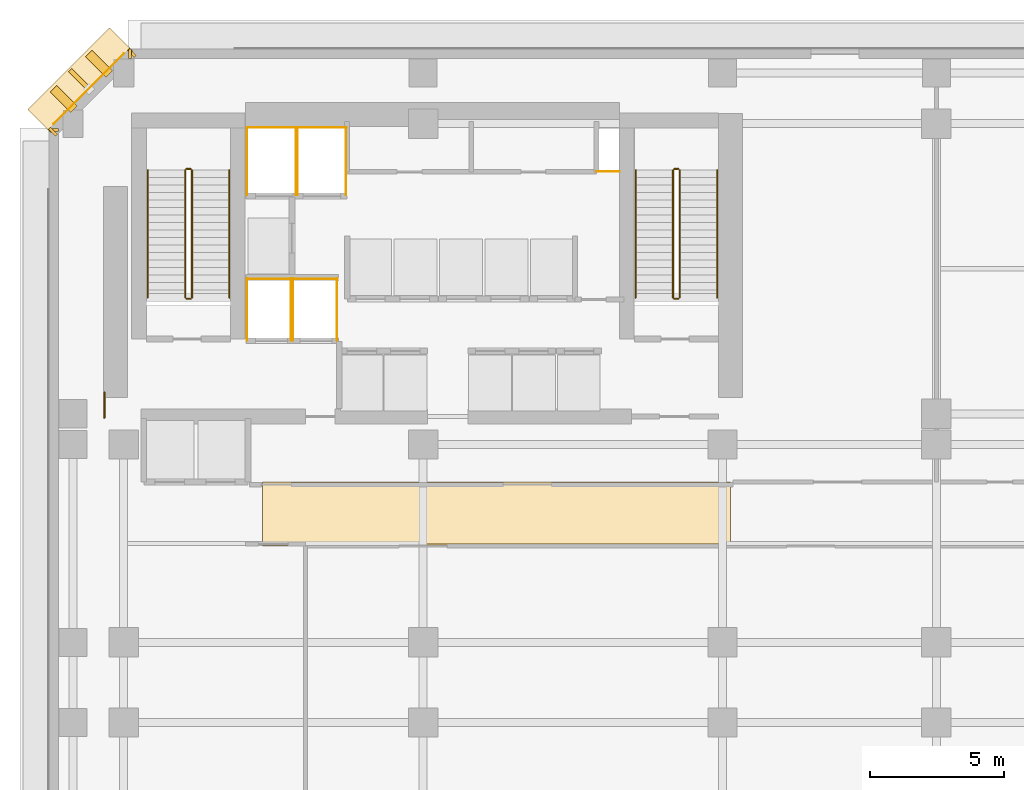
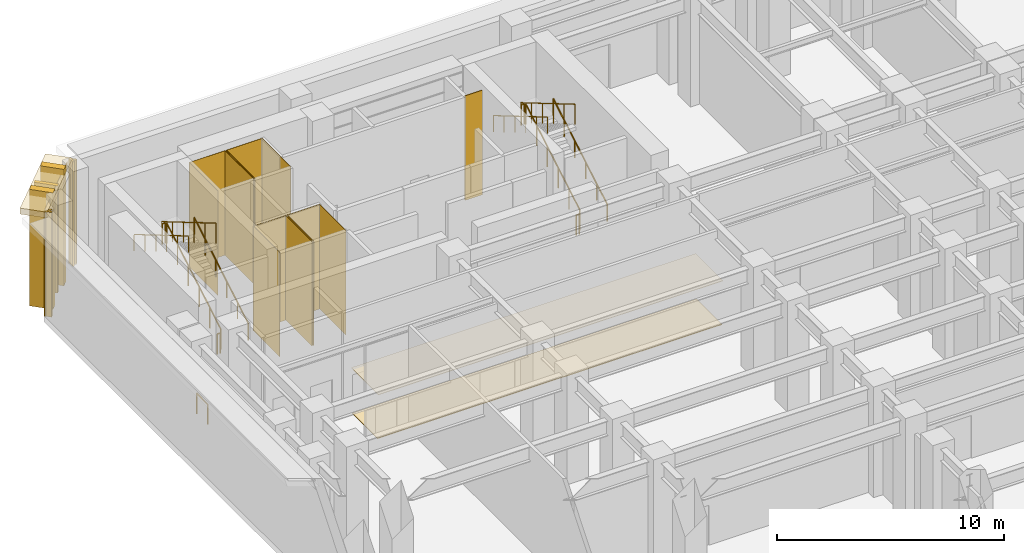
# One storey, part 15 of 18: 23 coverings, 13 railings, 1 shading device.
"""IFC4 building model written with IfcOpenShell, lengths in metres."""

from ifc_helpers import new_model, si_unit, direction, frame, origin, origin_2d, place, context, subcontext, project, spatial, polyline, rectangle, circle, outline, extrude, material, layer, layer_set, material_profile, profile_set, type_object, element, save


model = new_model("IFC4")

# Units and contexts
model_context = context("Model", 3, precision=1e-05, world=origin(), true_north=direction((0.0, 1.0)))
body_context = subcontext(model_context, "Body", "Model", "MODEL_VIEW")
ifc_project = project(units=[si_unit("LENGTHUNIT", "METRE"), si_unit("AREAUNIT", "SQUARE_METRE"), si_unit("VOLUMEUNIT", "CUBIC_METRE"), si_unit("PLANEANGLEUNIT", "RADIAN"), si_unit("MASSUNIT", "GRAM", prefix="KILO")], contexts=[model_context])

# Site, building, storey
site_placement = place(None, origin())
site = spatial("IfcSite", under=ifc_project, at=site_placement, CompositionType="ELEMENT")
building_placement = place(site_placement, origin())
building = spatial("IfcBuilding", under=site, at=building_placement, Name="Kefirva Bronze Tower", CompositionType="ELEMENT")
storey_placement = place(building_placement, origin())
storey = spatial("IfcBuildingStorey", under=building, at=storey_placement, Name="L00", CompositionType="ELEMENT", Elevation=0.0)

# Coverings
ifc_material_1 = material(Name="Acoustic mineral tile")
ifc_layer_1 = layer(ifc_material_1, 0.02490234375, Name="Acoustic mineral tile")
ifc_layer_set_1 = layer_set([ifc_layer_1], Name="Acoustic mineral tile")
covering_type_1 = type_object("IfcCoveringType", Name="Acoustic Mineral Suspended Ceiling 25mm", PredefinedType="CEILING", material=ifc_layer_set_1)
covering_1_placement = place(storey_placement, frame((0.0, 0.0, 2.39990234375)))
element("IfcCovering", 1, at=covering_1_placement, inside=storey, type_object=covering_type_1, Name="L00 Corridor Acoustic Ceiling", PredefinedType="CEILING", context=body_context, shape_type="SweptSolid", body=[
    extrude(outline(polyline([(6.0, 29.39990234375), (23.5, 29.39990234375), (23.5, 31.800048828125), (6.0, 31.800048828125), (6.0, 29.39990234375)])), origin(), (0.0, 0.0, 1.0), 0.025146484375),
])
ifc_material_2 = material(Name="Bronze anodised aluminium", Category="aluminium")
ifc_layer_2 = layer(ifc_material_2, 0.02001953125, Name="Bronze anodised aluminium")
ifc_layer_set_2 = layer_set([ifc_layer_2], Name="Bronze anodised aluminium")
covering_type_2 = type_object("IfcCoveringType", Name="Anodised Bronze Spandrel Cladding 20mm", PredefinedType="CLADDING", material=ifc_layer_set_2)
covering_2_placement = place(storey_placement, frame((1.034912109375, 47.820068359375, 0.0), z_axis=(0.0, 0.0, 1.0), x_axis=(-1.0, 0.0, 0.0)))
element("IfcCovering", 2, at=covering_2_placement, inside=storey, type_object=covering_type_2, Name="L00 Facade Joint Closure Panel 9E", PredefinedType="CLADDING", context=body_context, shape_type="SweptSolid", body=[
    extrude(rectangle(XDim=0.10009765625, YDim=0.360107421875, at=origin_2d()), origin(), (0.0, 0.0, 1.0), 5.6201171875),
])
covering_3_placement = place(storey_placement, frame((-0.507080078125, 46.507080078125, 5.199951171875), z_axis=(0.0, 0.0, 1.0), x_axis=(-0.707106781187, -0.707106781187, 0.0)))
element("IfcCovering", 3, at=covering_3_placement, inside=storey, type_object=covering_type_2, Name="L00 Bronze Spandrel Cladding 10", PredefinedType="CLADDING", context=body_context, shape_type="SweptSolid", body=[
    extrude(rectangle(XDim=3.719482421875, YDim=0.02001953125, at=origin_2d()), origin(), (0.0, 0.0, 1.0), 0.39990234375),
])
for number, where, z_axis, x_axis, name in (
    (4, (1.1025390625, 47.847900390625, 0.0), (0.0, 0.0, 1.0), (-0.707106781187, -0.707106781187, 0.0), "L00 Facade Joint Closure Panel 10S"),
    (5, (-1.847900390625, 44.8974609375, 0.0), (0.0, 0.0, 1.0), (-0.707106781187, -0.707106781187, 0.0), "L00 Facade Joint Closure Panel 10E"),
    (6, (-1.820068359375, 44.965087890625, 0.0), (0.0, 0.0, 1.0), (0.0, -1.0, 0.0), "L00 Facade Joint Closure Panel 11S"),
):
    element("IfcCovering", number, at=place(storey_placement, frame(where, z_axis=z_axis, x_axis=x_axis)), inside=storey, type_object=covering_type_2, Name=name, PredefinedType="CLADDING", context=body_context, shape_type="SweptSolid", body=[
        extrude(rectangle(XDim=0.10009765625, YDim=0.360107421875, at=origin_2d()), origin(), (0.0, 0.0, 1.0), 5.6201171875),
    ])
covering_4_placement = place(storey_placement, origin())
element("IfcCovering", 7, at=covering_4_placement, inside=storey, type_object=covering_type_2, Name="L00 Lift FF1 Hoistway Liner N", PredefinedType="CLADDING", context=body_context, shape_type="SweptSolid", body=[
    extrude(outline(polyline([(5.39990234375, 39.389892578125), (7.080078125, 39.389892578125), (7.080078125, 39.409912109375), (5.39990234375, 39.409912109375), (5.39990234375, 39.389892578125)])), origin(), (0.0, 0.0, 1.0), 5.6201171875),
])
covering_5_placement = place(storey_placement, origin())
element("IfcCovering", 8, at=covering_5_placement, inside=storey, type_object=covering_type_2, Name="L00 Lift FF1 Hoistway Liner W", PredefinedType="CLADDING", context=body_context, shape_type="SweptSolid", body=[
    extrude(outline(polyline([(5.409912109375, 37.080078125), (5.429931640625, 37.080078125), (5.429931640625, 39.419921875), (5.409912109375, 39.419921875), (5.409912109375, 37.080078125)])), origin(), (0.0, 0.0, 1.0), 5.6201171875),
])
covering_6_placement = place(storey_placement, origin())
element("IfcCovering", 9, at=covering_6_placement, inside=storey, type_object=covering_type_2, Name="L00 Lift FF1 Hoistway Liner E", PredefinedType="CLADDING", context=body_context, shape_type="SweptSolid", body=[
    extrude(outline(polyline([(7.050048828125, 37.080078125), (7.070068359375, 37.080078125), (7.070068359375, 39.419921875), (7.050048828125, 39.419921875), (7.050048828125, 37.080078125)])), origin(), (0.0, 0.0, 1.0), 5.6201171875),
])
covering_7_placement = place(storey_placement, origin())
element("IfcCovering", 10, at=covering_7_placement, inside=storey, type_object=covering_type_2, Name="L00 Lift FF2 Hoistway Liner N", PredefinedType="CLADDING", context=body_context, shape_type="SweptSolid", body=[
    extrude(outline(polyline([(7.1201171875, 39.389892578125), (8.800048828125, 39.389892578125), (8.800048828125, 39.409912109375), (7.1201171875, 39.409912109375), (7.1201171875, 39.389892578125)])), origin(), (0.0, 0.0, 1.0), 5.6201171875),
])
covering_8_placement = place(storey_placement, origin())
element("IfcCovering", 11, at=covering_8_placement, inside=storey, type_object=covering_type_2, Name="L00 Lift FF2 Hoistway Liner W", PredefinedType="CLADDING", context=body_context, shape_type="SweptSolid", body=[
    extrude(outline(polyline([(7.1298828125, 37.080078125), (7.14990234375, 37.080078125), (7.14990234375, 39.419921875), (7.1298828125, 39.419921875), (7.1298828125, 37.080078125)])), origin(), (0.0, 0.0, 1.0), 5.6201171875),
])
covering_9_placement = place(storey_placement, origin())
element("IfcCovering", 12, at=covering_9_placement, inside=storey, type_object=covering_type_2, Name="L00 Lift FF2 Hoistway Liner E", PredefinedType="CLADDING", context=body_context, shape_type="SweptSolid", body=[
    extrude(outline(polyline([(8.77001953125, 37.080078125), (8.7900390625, 37.080078125), (8.7900390625, 39.419921875), (8.77001953125, 39.419921875), (8.77001953125, 37.080078125)])), origin(), (0.0, 0.0, 1.0), 5.6201171875),
])
covering_10_placement = place(storey_placement, origin())
element("IfcCovering", 13, at=covering_10_placement, inside=storey, type_object=covering_type_2, Name="L00 Lift SV1 Hoistway Liner N", PredefinedType="CLADDING", context=body_context, shape_type="SweptSolid", body=[
    extrude(outline(polyline([(5.39990234375, 45.0400390625), (7.260009765625, 45.0400390625), (7.260009765625, 45.06005859375), (5.39990234375, 45.06005859375), (5.39990234375, 45.0400390625)])), origin(), (0.0, 0.0, 1.0), 5.6201171875),
])
covering_11_placement = place(storey_placement, origin())
element("IfcCovering", 14, at=covering_11_placement, inside=storey, type_object=covering_type_2, Name="L00 Lift SV1 Hoistway Liner W", PredefinedType="CLADDING", context=body_context, shape_type="SweptSolid", body=[
    extrude(outline(polyline([(5.409912109375, 42.530029296875), (5.429931640625, 42.530029296875), (5.429931640625, 45.070068359375), (5.409912109375, 45.070068359375), (5.409912109375, 42.530029296875)])), origin(), (0.0, 0.0, 1.0), 5.6201171875),
])
covering_12_placement = place(storey_placement, origin())
element("IfcCovering", 15, at=covering_12_placement, inside=storey, type_object=covering_type_2, Name="L00 Lift SV1 Hoistway Liner E", PredefinedType="CLADDING", context=body_context, shape_type="SweptSolid", body=[
    extrude(outline(polyline([(7.22998046875, 42.530029296875), (7.25, 42.530029296875), (7.25, 45.070068359375), (7.22998046875, 45.070068359375), (7.22998046875, 42.530029296875)])), origin(), (0.0, 0.0, 1.0), 5.6201171875),
])
covering_13_placement = place(storey_placement, origin())
element("IfcCovering", 16, at=covering_13_placement, inside=storey, type_object=covering_type_2, Name="L00 Lift SV2 Hoistway Liner N", PredefinedType="CLADDING", context=body_context, shape_type="SweptSolid", body=[
    extrude(outline(polyline([(7.280029296875, 45.0400390625), (9.139892578125, 45.0400390625), (9.139892578125, 45.06005859375), (7.280029296875, 45.06005859375), (7.280029296875, 45.0400390625)])), origin(), (0.0, 0.0, 1.0), 5.6201171875),
])
covering_14_placement = place(storey_placement, origin())
element("IfcCovering", 17, at=covering_14_placement, inside=storey, type_object=covering_type_2, Name="L00 Lift SV2 Hoistway Liner W", PredefinedType="CLADDING", context=body_context, shape_type="SweptSolid", body=[
    extrude(outline(polyline([(7.2900390625, 42.530029296875), (7.31005859375, 42.530029296875), (7.31005859375, 45.070068359375), (7.2900390625, 45.070068359375), (7.2900390625, 42.530029296875)])), origin(), (0.0, 0.0, 1.0), 5.6201171875),
])
covering_15_placement = place(storey_placement, origin())
element("IfcCovering", 18, at=covering_15_placement, inside=storey, type_object=covering_type_2, Name="L00 Lift SV2 Hoistway Liner E", PredefinedType="CLADDING", context=body_context, shape_type="SweptSolid", body=[
    extrude(outline(polyline([(9.110107421875, 42.530029296875), (9.1298828125, 42.530029296875), (9.1298828125, 45.070068359375), (9.110107421875, 45.070068359375), (9.110107421875, 42.530029296875)])), origin(), (0.0, 0.0, 1.0), 5.6201171875),
])
covering_16_placement = place(storey_placement, origin())
element("IfcCovering", 19, at=covering_16_placement, inside=storey, type_object=covering_type_2, Name="L00 Core MEP Riser Shaft Liner South", PredefinedType="CLADDING", context=body_context, shape_type="SweptSolid", body=[
    extrude(outline(polyline([(18.47998046875, 43.39990234375), (19.360107421875, 43.39990234375), (19.360107421875, 43.429931640625), (18.47998046875, 43.429931640625), (18.47998046875, 43.39990234375)])), origin(), (0.0, 0.0, 1.0), 5.6201171875),
])

# Shading device
ifc_material_profile = material_profile(ifc_material_2, rectangle(XDim=0.179931640625, YDim=1.080078125, at=origin_2d()), Name="BRONZE BUTTRESS FIN 180x1080")
ifc_profile_set = profile_set([ifc_material_profile], Name="Bronze anodised aluminium")
shading_device_type = type_object("IfcShadingDeviceType", Name="Chamfered Corner Buttress Bronze Fin 1080mm", PredefinedType="USERDEFINED", material=ifc_profile_set)
shading_device_placement = place(storey_placement, frame((-0.8251953125, 46.8251953125, -0.139892578125), z_axis=(0.0, 0.0, 1.0), x_axis=(-0.707106781187, -0.707106781187, 0.0)))
element("IfcShadingDevice", 20, at=shading_device_placement, inside=storey, type_object=shading_device_type, Name="L00 Chamfered Corner Buttress Fin 10", ObjectType="VERTICAL FIN", PredefinedType="USERDEFINED", context=body_context, shape_type="SweptSolid", body=[
    extrude(rectangle(XDim=0.179931640625, YDim=1.080078125, at=origin_2d()), origin(), (0.0, 0.0, 1.0), 5.760009765625),
])

# Covering
ifc_material_3 = material(Name="Honed basalt stone paver", Category="masonry")
ifc_layer_3 = layer(ifc_material_3, 0.034912109375, Name="Honed basalt stone paver")
ifc_layer_set_3 = layer_set([ifc_layer_3], Name="Honed basalt stone paver")
covering_type_3 = type_object("IfcCoveringType", Name="Honed Basalt Concourse Flooring 35mm", PredefinedType="FLOORING", material=ifc_layer_set_3)
covering_17_placement = place(storey_placement, origin())
element("IfcCovering", 21, at=covering_17_placement, inside=storey, type_object=covering_type_3, Name="L00 Architectural Finish Flooring", PredefinedType="FLOORING", context=body_context, shape_type="SweptSolid", body=[
    extrude(outline(polyline([(6.0, 29.47998046875), (23.5, 29.47998046875), (23.5, 31.719970703125), (6.0, 31.719970703125), (6.0, 29.47998046875)])), origin(), (0.0, 0.0, 1.0), 0.034912109375),
])

# Railings
ifc_material_4 = material(Name="Stainless steel 316", Category="steel")
railing_type_1 = type_object("IfcRailingType", Name="Interior Stair Guardrail 1100mm", PredefinedType="GUARDRAIL", material=ifc_material_4)
railing_1_placement = place(storey_placement, frame((3.35009765625, 38.699951171875, 0.1650390625)))
element("IfcRailing", 22, at=railing_1_placement, inside=storey, type_object=railing_type_1, Name="L00 ST-1 stair guard 1", PredefinedType="GUARDRAIL", context=body_context, shape_type="SweptSolid", body=[
    extrude(circle(Radius=0.02392578125, at=origin_2d()), frame((0.0, 0.0, 1.076171875), z_axis=(0.0, 0.861544328885, 0.507682350852), x_axis=(-1.0, 0.0, 0.0)), (0.0, 0.0, 1.0), 5.52490234375),
    extrude(circle(Radius=0.02099609375, at=origin_2d()), origin(), (0.0, 0.0, 1.0), 1.052001953125),
    extrude(circle(Radius=0.02099609375, at=origin_2d()), frame((0.0, 0.951904296875, 0.56103515625)), (0.0, 0.0, 1.0), 1.052001953125),
    extrude(circle(Radius=0.02099609375, at=origin_2d()), frame((0.0, 1.904052734375, 1.1220703125)), (0.0, 0.0, 1.0), 1.052001953125),
    extrude(circle(Radius=0.02099609375, at=origin_2d()), frame((0.0, 2.85595703125, 1.682861328125)), (0.0, 0.0, 1.0), 1.052001953125),
    extrude(circle(Radius=0.02099609375, at=origin_2d()), frame((0.0, 3.80810546875, 2.243896484375)), (0.0, 0.0, 1.0), 1.052001953125),
    extrude(circle(Radius=0.02099609375, at=origin_2d()), frame((0.0, 4.760009765625, 2.804931640625)), (0.0, 0.0, 1.0), 1.052001953125),
])
railing_2_placement = place(storey_placement, frame((3.300048828125, 43.510009765625, 2.969970703125)))
element("IfcRailing", 23, at=railing_2_placement, inside=storey, type_object=railing_type_1, Name="L00 ST-1 stair guard 2", PredefinedType="GUARDRAIL", context=body_context, shape_type="SweptSolid", body=[
    extrude(circle(Radius=0.02392578125, at=origin_2d()), frame((0.0, 0.0, 1.076171875), z_axis=(-1.0, 0.0, 0.0), x_axis=(0.0, -1.0, 0.0)), (0.0, 0.0, 1.0), 0.150146484375),
    extrude(circle(Radius=0.02099609375, at=origin_2d()), origin(), (0.0, 0.0, 1.0), 1.052001953125),
    extrude(circle(Radius=0.02099609375, at=origin_2d()), frame((-0.150146484375, 0.0, 0.0)), (0.0, 0.0, 1.0), 1.052001953125),
])
railing_3_placement = place(storey_placement, frame((3.10009765625, 43.4599609375, 3.135009765625)))
element("IfcRailing", 24, at=railing_3_placement, inside=storey, type_object=railing_type_1, Name="L00 ST-1 stair guard 3", PredefinedType="GUARDRAIL", context=body_context, shape_type="SweptSolid", body=[
    extrude(circle(Radius=0.02392578125, at=origin_2d()), frame((0.0, 0.0, 1.076171875), z_axis=(0.0, -0.861544328885, 0.507682350852), x_axis=(1.0, 0.0, 0.0)), (0.0, 0.0, 1.0), 5.52490234375),
    extrude(circle(Radius=0.02099609375, at=origin_2d()), origin(), (0.0, 0.0, 1.0), 1.052001953125),
    extrude(circle(Radius=0.02099609375, at=origin_2d()), frame((0.0, -0.951904296875, 0.56103515625)), (0.0, 0.0, 1.0), 1.052001953125),
    extrude(circle(Radius=0.02099609375, at=origin_2d()), frame((0.0, -1.904052734375, 1.1220703125)), (0.0, 0.0, 1.0), 1.052001953125),
    extrude(circle(Radius=0.02099609375, at=origin_2d()), frame((0.0, -2.85595703125, 1.682861328125)), (0.0, 0.0, 1.0), 1.052001953125),
    extrude(circle(Radius=0.02099609375, at=origin_2d()), frame((0.0, -3.80810546875, 2.243896484375)), (0.0, 0.0, 1.0), 1.052001953125),
    extrude(circle(Radius=0.02099609375, at=origin_2d()), frame((0.0, -4.760009765625, 2.804931640625)), (0.0, 0.0, 1.0), 1.052001953125),
])
railing_4_placement = place(storey_placement, frame((3.300048828125, 38.64990234375, 0.0)))
element("IfcRailing", 25, at=railing_4_placement, inside=storey, type_object=railing_type_1, Name="L00 ST-1 stair guard 4", PredefinedType="GUARDRAIL", context=body_context, shape_type="SweptSolid", body=[
    extrude(circle(Radius=0.02392578125, at=origin_2d()), frame((0.0, 0.0, 1.076171875), z_axis=(-1.0, 0.0, 0.0), x_axis=(0.0, -1.0, 0.0)), (0.0, 0.0, 1.0), 0.150146484375),
    extrude(circle(Radius=0.02099609375, at=origin_2d()), origin(), (0.0, 0.0, 1.0), 1.052001953125),
    extrude(circle(Radius=0.02099609375, at=origin_2d()), frame((-0.150146484375, 0.0, 0.0)), (0.0, 0.0, 1.0), 1.052001953125),
])
railing_5_placement = place(storey_placement, frame((21.60009765625, 38.699951171875, 0.1650390625)))
element("IfcRailing", 26, at=railing_5_placement, inside=storey, type_object=railing_type_1, Name="L00 ST-2 stair guard 1", PredefinedType="GUARDRAIL", context=body_context, shape_type="SweptSolid", body=[
    extrude(circle(Radius=0.02392578125, at=origin_2d()), frame((0.0, 0.0, 1.076171875), z_axis=(0.0, 0.861544328885, 0.507682350852), x_axis=(-1.0, 0.0, 0.0)), (0.0, 0.0, 1.0), 5.52490234375),
    extrude(circle(Radius=0.02099609375, at=origin_2d()), origin(), (0.0, 0.0, 1.0), 1.052001953125),
    extrude(circle(Radius=0.02099609375, at=origin_2d()), frame((0.0, 0.951904296875, 0.56103515625)), (0.0, 0.0, 1.0), 1.052001953125),
    extrude(circle(Radius=0.02099609375, at=origin_2d()), frame((0.0, 1.904052734375, 1.1220703125)), (0.0, 0.0, 1.0), 1.052001953125),
    extrude(circle(Radius=0.02099609375, at=origin_2d()), frame((0.0, 2.85595703125, 1.682861328125)), (0.0, 0.0, 1.0), 1.052001953125),
    extrude(circle(Radius=0.02099609375, at=origin_2d()), frame((0.0, 3.80810546875, 2.243896484375)), (0.0, 0.0, 1.0), 1.052001953125),
    extrude(circle(Radius=0.02099609375, at=origin_2d()), frame((0.0, 4.760009765625, 2.804931640625)), (0.0, 0.0, 1.0), 1.052001953125),
])
railing_6_placement = place(storey_placement, frame((21.550048828125, 43.510009765625, 2.969970703125)))
element("IfcRailing", 27, at=railing_6_placement, inside=storey, type_object=railing_type_1, Name="L00 ST-2 stair guard 2", PredefinedType="GUARDRAIL", context=body_context, shape_type="SweptSolid", body=[
    extrude(circle(Radius=0.02392578125, at=origin_2d()), frame((0.0, 0.0, 1.076171875), z_axis=(-1.0, 0.0, 0.0), x_axis=(0.0, -1.0, 0.0)), (0.0, 0.0, 1.0), 0.150146484375),
    extrude(circle(Radius=0.02099609375, at=origin_2d()), origin(), (0.0, 0.0, 1.0), 1.052001953125),
    extrude(circle(Radius=0.02099609375, at=origin_2d()), frame((-0.150146484375, 0.0, 0.0)), (0.0, 0.0, 1.0), 1.052001953125),
])
railing_7_placement = place(storey_placement, frame((21.35009765625, 43.4599609375, 3.135009765625)))
element("IfcRailing", 28, at=railing_7_placement, inside=storey, type_object=railing_type_1, Name="L00 ST-2 stair guard 3", PredefinedType="GUARDRAIL", context=body_context, shape_type="SweptSolid", body=[
    extrude(circle(Radius=0.02392578125, at=origin_2d()), frame((0.0, 0.0, 1.076171875), z_axis=(0.0, -0.861544328885, 0.507682350852), x_axis=(1.0, 0.0, 0.0)), (0.0, 0.0, 1.0), 5.52490234375),
    extrude(circle(Radius=0.02099609375, at=origin_2d()), origin(), (0.0, 0.0, 1.0), 1.052001953125),
    extrude(circle(Radius=0.02099609375, at=origin_2d()), frame((0.0, -0.951904296875, 0.56103515625)), (0.0, 0.0, 1.0), 1.052001953125),
    extrude(circle(Radius=0.02099609375, at=origin_2d()), frame((0.0, -1.904052734375, 1.1220703125)), (0.0, 0.0, 1.0), 1.052001953125),
    extrude(circle(Radius=0.02099609375, at=origin_2d()), frame((0.0, -2.85595703125, 1.682861328125)), (0.0, 0.0, 1.0), 1.052001953125),
    extrude(circle(Radius=0.02099609375, at=origin_2d()), frame((0.0, -3.80810546875, 2.243896484375)), (0.0, 0.0, 1.0), 1.052001953125),
    extrude(circle(Radius=0.02099609375, at=origin_2d()), frame((0.0, -4.760009765625, 2.804931640625)), (0.0, 0.0, 1.0), 1.052001953125),
])
railing_8_placement = place(storey_placement, frame((21.550048828125, 38.64990234375, 0.0)))
element("IfcRailing", 29, at=railing_8_placement, inside=storey, type_object=railing_type_1, Name="L00 ST-2 stair guard 4", PredefinedType="GUARDRAIL", context=body_context, shape_type="SweptSolid", body=[
    extrude(circle(Radius=0.02392578125, at=origin_2d()), frame((0.0, 0.0, 1.076171875), z_axis=(-1.0, 0.0, 0.0), x_axis=(0.0, -1.0, 0.0)), (0.0, 0.0, 1.0), 0.150146484375),
    extrude(circle(Radius=0.02099609375, at=origin_2d()), origin(), (0.0, 0.0, 1.0), 1.052001953125),
    extrude(circle(Radius=0.02099609375, at=origin_2d()), frame((-0.150146484375, 0.0, 0.0)), (0.0, 0.0, 1.0), 1.052001953125),
])
railing_9_placement = place(storey_placement, frame((0.080078125, 34.199951171875, 0.0)))
element("IfcRailing", 30, at=railing_9_placement, inside=storey, type_object=railing_type_1, Name="L00 West Core Junction Guardrail", PredefinedType="GUARDRAIL", context=body_context, shape_type="SweptSolid", body=[
    extrude(circle(Radius=0.02392578125, at=origin_2d()), frame((0.0, 0.0, 1.076171875), z_axis=(0.0, 1.0, 0.0), x_axis=(-1.0, 0.0, 0.0)), (0.0, 0.0, 1.0), 0.949951171875),
    extrude(circle(Radius=0.02099609375, at=origin_2d()), origin(), (0.0, 0.0, 1.0), 1.052001953125),
    extrude(circle(Radius=0.02099609375, at=origin_2d()), frame((0.0, 0.949951171875, 0.0)), (0.0, 0.0, 1.0), 1.052001953125),
])
railing_type_2 = type_object("IfcRailingType", Name="Stair Pitch Handrail 900mm", PredefinedType="HANDRAIL", material=ifc_material_4)
railing_10_placement = place(storey_placement, frame((4.75, 38.699951171875, 0.1650390625)))
element("IfcRailing", 31, at=railing_10_placement, inside=storey, type_object=railing_type_2, Name="L00 ST-1 stair handrail 1", PredefinedType="HANDRAIL", context=body_context, shape_type="SweptSolid", body=[
    extrude(circle(Radius=0.02392578125, at=origin_2d()), frame((0.0, 0.0, 0.8759765625), z_axis=(0.0, 0.861544328885, 0.507682350852), x_axis=(-1.0, 0.0, 0.0)), (0.0, 0.0, 1.0), 5.52490234375),
    extrude(circle(Radius=0.02099609375, at=origin_2d()), origin(), (0.0, 0.0, 1.0), 0.851806640625),
    extrude(circle(Radius=0.02099609375, at=origin_2d()), frame((0.0, 0.951904296875, 0.56103515625)), (0.0, 0.0, 1.0), 0.851806640625),
    extrude(circle(Radius=0.02099609375, at=origin_2d()), frame((0.0, 1.904052734375, 1.1220703125)), (0.0, 0.0, 1.0), 0.851806640625),
    extrude(circle(Radius=0.02099609375, at=origin_2d()), frame((0.0, 2.85595703125, 1.682861328125)), (0.0, 0.0, 1.0), 0.851806640625),
    extrude(circle(Radius=0.02099609375, at=origin_2d()), frame((0.0, 3.80810546875, 2.243896484375)), (0.0, 0.0, 1.0), 0.851806640625),
    extrude(circle(Radius=0.02099609375, at=origin_2d()), frame((0.0, 4.760009765625, 2.804931640625)), (0.0, 0.0, 1.0), 0.851806640625),
])
railing_11_placement = place(storey_placement, frame((1.699951171875, 43.4599609375, 3.135009765625)))
element("IfcRailing", 32, at=railing_11_placement, inside=storey, type_object=railing_type_2, Name="L00 ST-1 stair handrail 2", PredefinedType="HANDRAIL", context=body_context, shape_type="SweptSolid", body=[
    extrude(circle(Radius=0.02392578125, at=origin_2d()), frame((0.0, 0.0, 0.8759765625), z_axis=(0.0, -0.861544328885, 0.507682350852), x_axis=(1.0, 0.0, 0.0)), (0.0, 0.0, 1.0), 5.52490234375),
    extrude(circle(Radius=0.02099609375, at=origin_2d()), origin(), (0.0, 0.0, 1.0), 0.851806640625),
    extrude(circle(Radius=0.02099609375, at=origin_2d()), frame((0.0, -0.951904296875, 0.56103515625)), (0.0, 0.0, 1.0), 0.851806640625),
    extrude(circle(Radius=0.02099609375, at=origin_2d()), frame((0.0, -1.904052734375, 1.1220703125)), (0.0, 0.0, 1.0), 0.851806640625),
    extrude(circle(Radius=0.02099609375, at=origin_2d()), frame((0.0, -2.85595703125, 1.682861328125)), (0.0, 0.0, 1.0), 0.851806640625),
    extrude(circle(Radius=0.02099609375, at=origin_2d()), frame((0.0, -3.80810546875, 2.243896484375)), (0.0, 0.0, 1.0), 0.851806640625),
    extrude(circle(Radius=0.02099609375, at=origin_2d()), frame((0.0, -4.760009765625, 2.804931640625)), (0.0, 0.0, 1.0), 0.851806640625),
])
railing_12_placement = place(storey_placement, frame((23.0, 38.699951171875, 0.1650390625)))
element("IfcRailing", 33, at=railing_12_placement, inside=storey, type_object=railing_type_2, Name="L00 ST-2 stair handrail 1", PredefinedType="HANDRAIL", context=body_context, shape_type="SweptSolid", body=[
    extrude(circle(Radius=0.02392578125, at=origin_2d()), frame((0.0, 0.0, 0.8759765625), z_axis=(0.0, 0.861544328885, 0.507682350852), x_axis=(-1.0, 0.0, 0.0)), (0.0, 0.0, 1.0), 5.52490234375),
    extrude(circle(Radius=0.02099609375, at=origin_2d()), origin(), (0.0, 0.0, 1.0), 0.851806640625),
    extrude(circle(Radius=0.02099609375, at=origin_2d()), frame((0.0, 0.951904296875, 0.56103515625)), (0.0, 0.0, 1.0), 0.851806640625),
    extrude(circle(Radius=0.02099609375, at=origin_2d()), frame((0.0, 1.904052734375, 1.1220703125)), (0.0, 0.0, 1.0), 0.851806640625),
    extrude(circle(Radius=0.02099609375, at=origin_2d()), frame((0.0, 2.85595703125, 1.682861328125)), (0.0, 0.0, 1.0), 0.851806640625),
    extrude(circle(Radius=0.02099609375, at=origin_2d()), frame((0.0, 3.80810546875, 2.243896484375)), (0.0, 0.0, 1.0), 0.851806640625),
    extrude(circle(Radius=0.02099609375, at=origin_2d()), frame((0.0, 4.760009765625, 2.804931640625)), (0.0, 0.0, 1.0), 0.851806640625),
])
railing_13_placement = place(storey_placement, frame((19.949951171875, 43.4599609375, 3.135009765625)))
element("IfcRailing", 34, at=railing_13_placement, inside=storey, type_object=railing_type_2, Name="L00 ST-2 stair handrail 2", PredefinedType="HANDRAIL", context=body_context, shape_type="SweptSolid", body=[
    extrude(circle(Radius=0.02392578125, at=origin_2d()), frame((0.0, 0.0, 0.8759765625), z_axis=(0.0, -0.861544328885, 0.507682350852), x_axis=(1.0, 0.0, 0.0)), (0.0, 0.0, 1.0), 5.52490234375),
    extrude(circle(Radius=0.02099609375, at=origin_2d()), origin(), (0.0, 0.0, 1.0), 0.851806640625),
    extrude(circle(Radius=0.02099609375, at=origin_2d()), frame((0.0, -0.951904296875, 0.56103515625)), (0.0, 0.0, 1.0), 0.851806640625),
    extrude(circle(Radius=0.02099609375, at=origin_2d()), frame((0.0, -1.904052734375, 1.1220703125)), (0.0, 0.0, 1.0), 0.851806640625),
    extrude(circle(Radius=0.02099609375, at=origin_2d()), frame((0.0, -2.85595703125, 1.682861328125)), (0.0, 0.0, 1.0), 0.851806640625),
    extrude(circle(Radius=0.02099609375, at=origin_2d()), frame((0.0, -3.80810546875, 2.243896484375)), (0.0, 0.0, 1.0), 0.851806640625),
    extrude(circle(Radius=0.02099609375, at=origin_2d()), frame((0.0, -4.760009765625, 2.804931640625)), (0.0, 0.0, 1.0), 0.851806640625),
])

# Coverings
ifc_layer_4 = layer(ifc_material_2, 0.179931640625, Name="Bronze anodised aluminium")
ifc_layer_set_4 = layer_set([ifc_layer_4], Name="Bronze anodised aluminium")
covering_type_4 = type_object("IfcCoveringType", Name="Streamline Bronze Sunshade Eyebrow Cladding 180mm", PredefinedType="CLADDING", material=ifc_layer_set_4)
covering_18_placement = place(storey_placement, frame((-0.8251953125, 46.8251953125, 5.2998046875), z_axis=(0.0, 0.0, 1.0), x_axis=(-0.707106781187, -0.707106781187, 0.0)))
element("IfcCovering", 35, at=covering_18_placement, inside=storey, type_object=covering_type_4, Name="L00 Streamline Bronze Sunshade Eyebrow 9", PredefinedType="CLADDING", context=body_context, shape_type="SweptSolid", body=[
    extrude(rectangle(XDim=4.322509765625, YDim=1.239990234375, at=origin_2d()), origin(), (0.0, 0.0, 1.0), 0.320068359375),
])
ifc_layer_5 = layer(ifc_material_2, 0.260009765625, Name="Bronze anodised aluminium")
ifc_layer_set_5 = layer_set([ifc_layer_5], Name="Bronze anodised aluminium")
covering_type_5 = type_object("IfcCoveringType", Name="Unbroken Bronze Buttress Fin Cladding 260mm", PredefinedType="CLADDING", material=ifc_layer_set_5)
for number, where, z_axis, x_axis, name in (
    (36, (-0.122802734375, 47.44287109375, -0.31982421875), (0.0, 0.0, 1.0), (-0.707106781187, -0.707106781187, 0.0), "L00 Chamfered Corner Buttress Fin Cladding 9"),
    (37, (-1.44287109375, 46.122802734375, -0.31982421875), (0.0, 0.0, 1.0), (-0.707106781187, -0.707106781187, 0.0), "L00 Chamfered Corner Buttress Fin Cladding 10"),
):
    element("IfcCovering", number, at=place(storey_placement, frame(where, z_axis=z_axis, x_axis=x_axis)), inside=storey, type_object=covering_type_5, Name=name, PredefinedType="CLADDING", context=body_context, shape_type="SweptSolid", body=[
        extrude(rectangle(XDim=0.340087890625, YDim=1.080078125, at=origin_2d()), origin(), (0.0, 0.0, 1.0), 6.260009765625),
    ])

save(model, "model.ifc")
